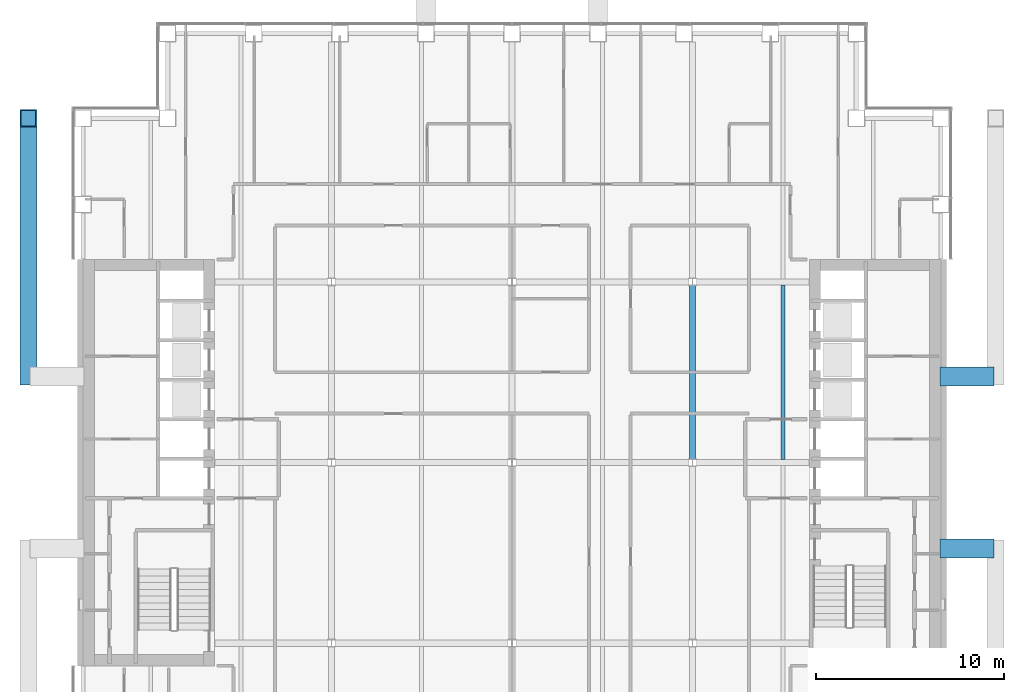
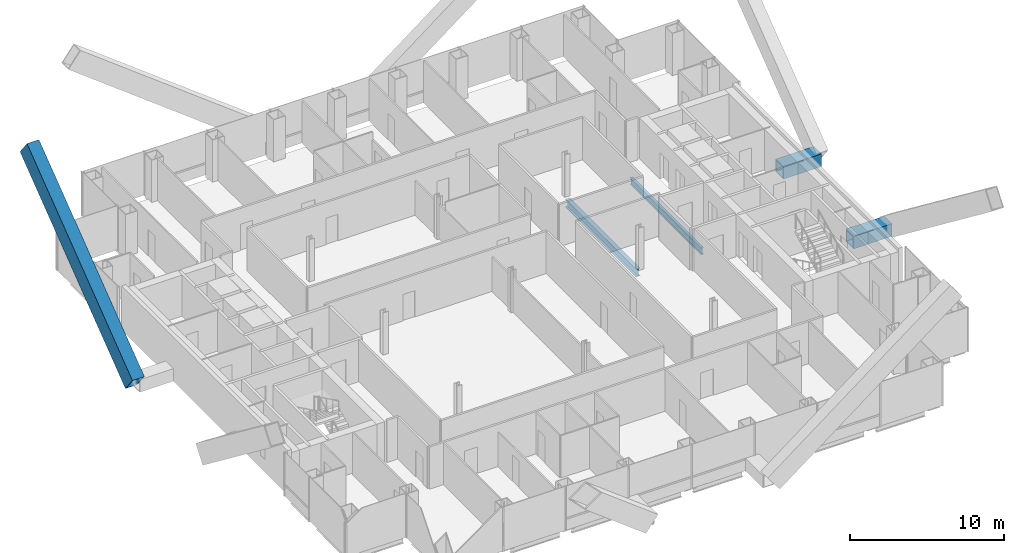
# One storey, part 6 of 17: 4 beams, 1 member.
"""IFC4 building model written with IfcOpenShell, lengths in metres."""

from ifc_helpers import new_model, si_unit, direction, frame, origin, origin_2d, place, context, subcontext, project, spatial, hollow_rectangle, i_section, extrude, material, material_profile, profile_set, type_object, element, save


model = new_model("IFC4")

# Units and contexts
model_context = context("Model", 3, precision=1e-05, world=origin(), true_north=direction((0.0, 1.0)))
body_context = subcontext(model_context, "Body", "Model", "MODEL_VIEW")
ifc_project = project(units=[si_unit("LENGTHUNIT", "METRE"), si_unit("AREAUNIT", "SQUARE_METRE"), si_unit("VOLUMEUNIT", "CUBIC_METRE"), si_unit("PLANEANGLEUNIT", "RADIAN"), si_unit("MASSUNIT", "GRAM", prefix="KILO")], contexts=[model_context])

# Site, building, storey
site_placement = place(None, origin())
site = spatial("IfcSite", under=ifc_project, at=site_placement, CompositionType="ELEMENT")
building_placement = place(site_placement, origin())
building = spatial("IfcBuilding", under=site, at=building_placement, Name="Cobrizo Arcos Hotel Tower", CompositionType="ELEMENT")
storey_placement = place(building_placement, frame((0.0, 0.0, 106.5)))
storey = spatial("IfcBuildingStorey", under=building, at=storey_placement, Name="L26", CompositionType="ELEMENT", Elevation=106.5)

# Beams
ifc_material_1 = material(Name="Steel ASTM A572 Grade 50", Category="steel")
ifc_material_profile_1 = material_profile(ifc_material_1, hollow_rectangle(XDim=1.0, YDim=1.0, WallThickness=0.06005859375, at=origin_2d()), Name="BOX 1000X1000X60")
ifc_profile_set_1 = profile_set([ifc_material_profile_1], Name="Steel ASTM A572 Grade 50")
beam_type_1 = type_object("IfcBeamType", Name="BOX 1000X1000X60 brace connector strut", PredefinedType="BEAM", material=ifc_profile_set_1)
for number, where, z_axis, x_axis, name in (
    (1, (22.75, 4.574951171875, 0.5), (1.0, 0.0, 0.0), (0.0, 1.0, 0.0), "Perimeter brace stub BS1, zone Z2, east face, offset +4.58 m, L26"),
    (2, (22.75, -4.574951171875, 0.5), (1.0, 0.0, 0.0), (0.0, 1.0, 0.0), "Perimeter brace stub BS1, zone Z2, east face, offset -4.58 m, L26"),
):
    element("IfcBeam", number, at=place(storey_placement, frame(where, z_axis=z_axis, x_axis=x_axis)), inside=storey, type_object=beam_type_1, Name=name, PredefinedType="BEAM", context=body_context, shape_type="SweptSolid", body=[
        extrude(hollow_rectangle(XDim=1.0, YDim=1.0, WallThickness=0.06005859375, at=origin_2d()), origin(), (0.0, 0.0, 1.0), 2.8701171875),
    ])

# Member
ifc_material_profile_2 = material_profile(ifc_material_1, hollow_rectangle(XDim=0.89990234375, YDim=1.5, WallThickness=0.06494140625, at=origin_2d()), Name="BOX 900X1500X65")
ifc_profile_set_2 = profile_set([ifc_material_profile_2], Name="Steel ASTM A572 Grade 50")
member_type = type_object("IfcMemberType", Name="BOX 900X1500X65 perimeter brace", PredefinedType="BRACE", material=ifc_profile_set_2)
member_placement = place(storey_placement, frame((-25.699951171875, 4.574951171875, 0.5), z_axis=(0.0, 0.794236712941, 0.607608462595), x_axis=(-1.0, 0.0, 0.0)))
element("IfcMember", 3, at=member_placement, inside=storey, type_object=member_type, Name="Perimeter brace PBR2, zone Z2, west face, no. 02", PredefinedType="BRACE", context=body_context, shape_type="SweptSolid", body=[
    extrude(hollow_rectangle(XDim=0.89990234375, YDim=1.5, WallThickness=0.06494140625, at=origin_2d()), origin(), (0.0, 0.0, 1.0), 17.28076171875),
])

# Beams
ifc_material_2 = material(Name="Steel ASTM A992 Grade 50", Category="steel")
ifc_material_profile_3 = material_profile(ifc_material_2, i_section(OverallWidth=0.209228515625, OverallDepth=0.533447265625, WebThickness=0.01025390625, FlangeThickness=0.015625, at=origin_2d()), Name="W21X62")
ifc_profile_set_3 = profile_set([ifc_material_profile_3], Name="Steel ASTM A992 Grade 50")
beam_type_2 = type_object("IfcBeamType", Name="W21X62 joist", PredefinedType="JOIST", material=ifc_profile_set_3)
beam_1_placement = place(storey_placement, frame((14.39990234375, 0.163818359375, -0.416748046875), z_axis=(0.0, 1.0, 0.0), x_axis=(-1.0, 0.0, 0.0)))
element("IfcBeam", 4, at=beam_1_placement, inside=storey, type_object=beam_type_2, Name="Floor joist J1, L26, no. 017", PredefinedType="JOIST", context=body_context, shape_type="SweptSolid", body=[
    extrude(i_section(OverallWidth=0.209228515625, OverallDepth=0.533447265625, WebThickness=0.01025390625, FlangeThickness=0.015625, at=origin_2d()), origin(), (0.0, 0.0, 1.0), 9.272216796875),
])
ifc_material_profile_4 = material_profile(ifc_material_2, i_section(OverallWidth=0.32763671875, OverallDepth=0.622314453125, WebThickness=0.015380859375, FlangeThickness=0.0244140625, at=origin_2d()), Name="W24X131")
ifc_profile_set_4 = profile_set([ifc_material_profile_4], Name="Steel ASTM A992 Grade 50")
beam_type_3 = type_object("IfcBeamType", Name="W24X131 girder", PredefinedType="BEAM", material=ifc_profile_set_4)
beam_2_placement = place(storey_placement, frame((9.60009765625, 0.199462890625, -0.461181640625), z_axis=(0.0, 1.0, 0.0), x_axis=(-1.0, 0.0, 0.0)))
element("IfcBeam", 5, at=beam_2_placement, inside=storey, type_object=beam_type_3, Name="Floor girder G1, L26, no. 023", PredefinedType="BEAM", context=body_context, shape_type="SweptSolid", body=[
    extrude(i_section(OverallWidth=0.32763671875, OverallDepth=0.622314453125, WebThickness=0.015380859375, FlangeThickness=0.0244140625, at=origin_2d()), origin(), (0.0, 0.0, 1.0), 9.201171875),
])

save(model, "model.ifc")
